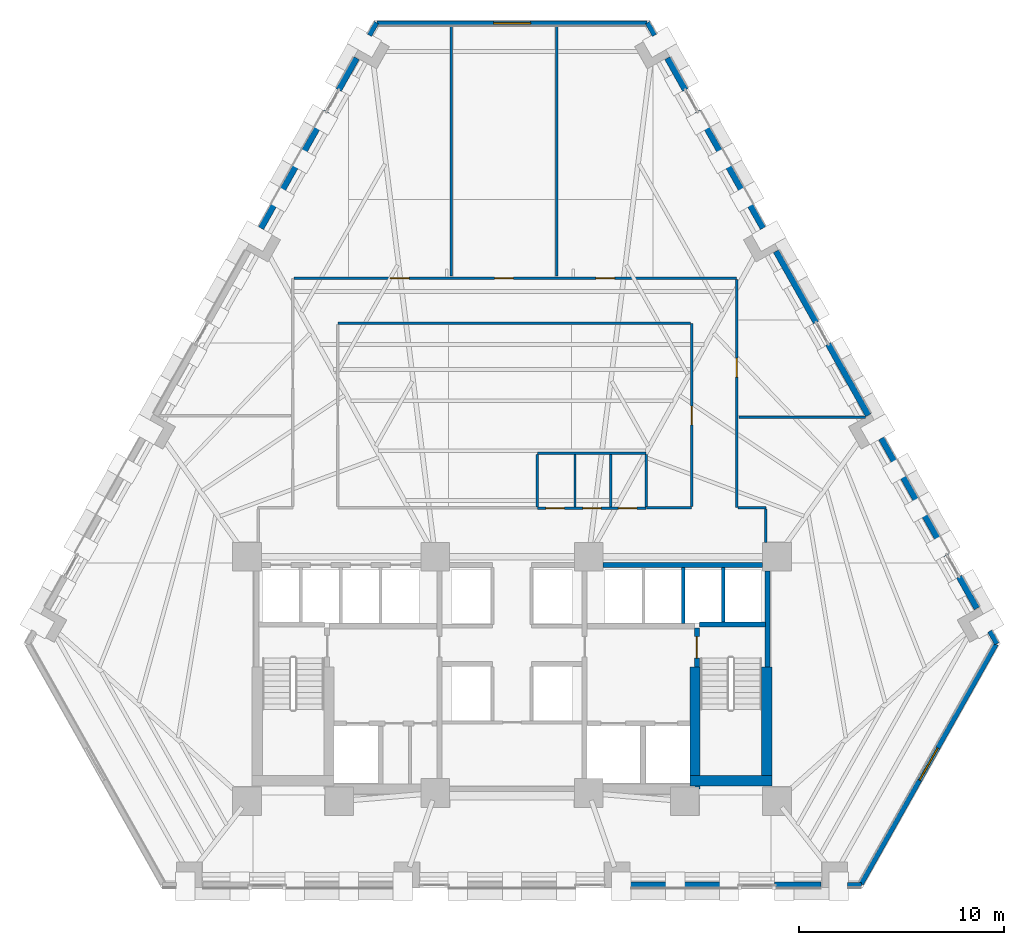
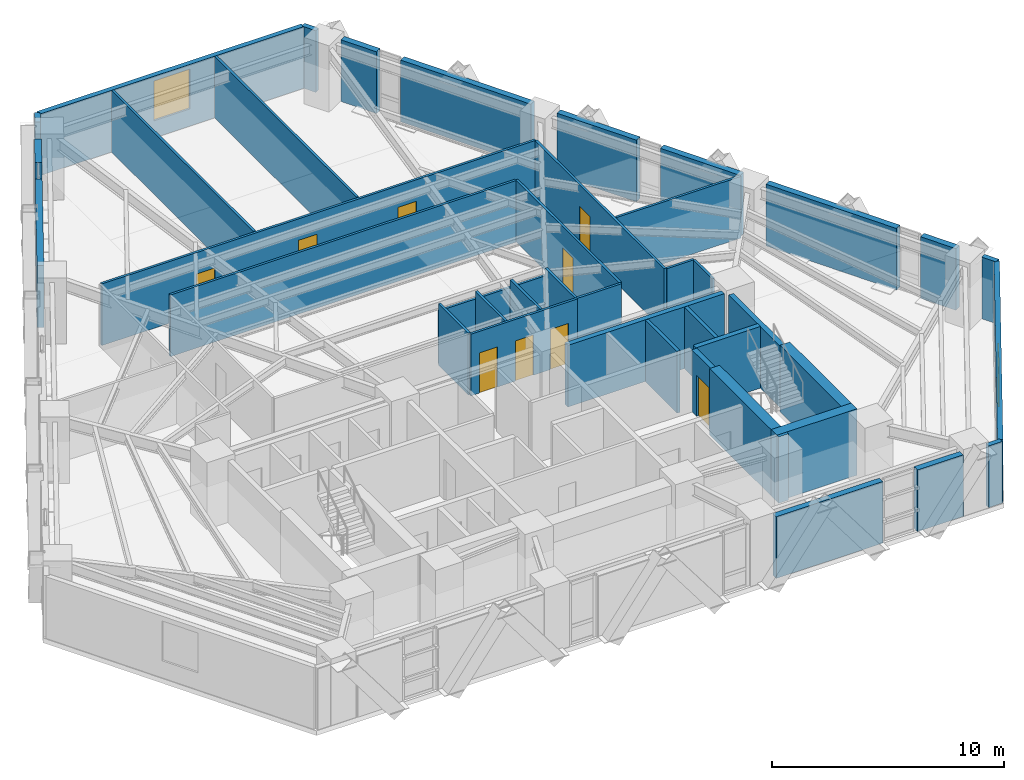
# One storey, part 8 of 13: 41 walls, 9 doors, 2 windows, 11 openings.
"""IFC4 building model written with IfcOpenShell, lengths in metres."""

from ifc_helpers import new_model, si_unit, direction, frame, frame_2d, origin, place, context, subcontext, project, spatial, rectangle, extrude, material, layer, layer_set, type_object, element, fill, save


model = new_model("IFC4")

# Units and contexts
model_context = context("Model", 3, precision=1e-05, world=origin(), true_north=direction((0.0, 1.0)))
body_context = subcontext(model_context, "Body", "Model", "MODEL_VIEW")
ifc_project = project(units=[si_unit("LENGTHUNIT", "METRE"), si_unit("AREAUNIT", "SQUARE_METRE"), si_unit("VOLUMEUNIT", "CUBIC_METRE"), si_unit("PLANEANGLEUNIT", "RADIAN"), si_unit("MASSUNIT", "GRAM", prefix="KILO")], contexts=[model_context])

# Site, building, storey
site_placement = place(None, origin())
site = spatial("IfcSite", under=ifc_project, at=site_placement, CompositionType="ELEMENT")
building_placement = place(site_placement, origin())
building = spatial("IfcBuilding", under=site, at=building_placement, Name="Quenlor Broadcast Tower", CompositionType="ELEMENT")
storey_placement = place(building_placement, frame((0.0, 0.0, 55.60009765625)))
storey = spatial("IfcBuildingStorey", under=building, at=storey_placement, Name="L14", CompositionType="ELEMENT", Elevation=55.60009765625)

# Walls
ifc_material_1 = material(Name="Concrete C65/80", Category="concrete")
ifc_layer_1 = layer(ifc_material_1, 0.5)
ifc_layer_set_1 = layer_set([ifc_layer_1], Name="Core Concrete C65/80 Shear Wall 500")
wall_type_1 = type_object("IfcWallType", Name="Core Concrete C65/80 Shear Wall 500", PredefinedType="SHEAR", material=ifc_layer_set_1)
wall_1_placement = place(storey_placement, frame((8.699951171875, -15.75, 0.0), z_axis=(0.0, 0.0, 1.0), x_axis=(1.0, 0.0, 0.0)))
element("IfcWall", 1, at=wall_1_placement, inside=storey, type_object=wall_type_1, Name="L14 Core Shear Wall WS-E2", PredefinedType="SHEAR", context=body_context, shape_type="SweptSolid", body=[
    extrude(rectangle(XDim=4.0, YDim=0.5, at=frame_2d((2.0, 0.0))), origin(), (0.0, 0.0, 1.0), 3.5),
])
wall_2_placement = place(storey_placement, frame((12.449951171875, -15.75, 0.0), z_axis=(0.0, 0.0, 1.0), x_axis=(0.0, 1.0, 0.0)))
element("IfcWall", 2, at=wall_2_placement, inside=storey, type_object=wall_type_1, Name="L14 Core Shear Wall WF-E", PredefinedType="SHEAR", context=body_context, shape_type="SweptSolid", body=[
    extrude(rectangle(XDim=5.550048828125, YDim=0.5, at=frame_2d((2.77490234375, 0.0))), origin(), (0.0, 0.0, 1.0), 3.5),
])
wall_3_placement = place(storey_placement, frame((8.949951171875, -16.14990234375, 0.0), z_axis=(0.0, 0.0, 1.0), x_axis=(0.0, 1.0, 0.0)))
element("IfcWall", 3, at=wall_3_placement, inside=storey, type_object=wall_type_1, Name="L14 Core Shear Wall WI-E", PredefinedType="SHEAR", context=body_context, shape_type="SweptSolid", body=[
    extrude(rectangle(XDim=5.949951171875, YDim=0.5, at=frame_2d((2.97509765625, 0.0))), origin(), (0.0, 0.0, 1.0), 3.5),
])

# Wall, opening, door
ifc_material_2 = material(Name="Concrete C40/50", Category="concrete")
ifc_layer_2 = layer(ifc_material_2, 0.25)
ifc_layer_set_2 = layer_set([ifc_layer_2], Name="Fire Rated Concrete C40/50 Core Wall 250")
wall_type_2 = type_object("IfcWallType", Name="Fire Rated Concrete C40/50 Core Wall 250", PredefinedType="PARTITIONING", material=ifc_layer_set_2)
wall_4_placement = place(storey_placement, frame((9.0400390625, -10.179931640625, 0.0), z_axis=(0.0, 0.0, 1.0), x_axis=(0.0, 1.0, 0.0)))
wall_4 = element("IfcWall", 4, at=wall_4_placement, inside=storey, type_object=wall_type_2, Name="L14 Interior Wall CW-ST2-DR", PredefinedType="PARTITIONING", context=body_context, shape_type="SweptSolid", body=[
    extrude(rectangle(XDim=1.89990234375, YDim=0.25, at=frame_2d((0.949951171875, 0.0))), origin(), (0.0, 0.0, 1.0), 3.25),
])
opening_1_placement = place(wall_4_placement, frame((0.419921875, 0.0, 0.0)))
opening_1 = element("IfcOpeningElement", 5, at=opening_1_placement, cuts=wall_4, Name="Opening FD-1", PredefinedType="OPENING", context=body_context, shape_type="SweptSolid", body=[
    extrude(rectangle(XDim=1.050048828125, YDim=2.14990234375, at=frame_2d((0.52490234375, 1.074951171875))), frame((0.0, 0.135009765625, 0.0), z_axis=(0.0, -1.0, 0.0), x_axis=(1.0, 0.0, 0.0)), (0.0, 0.0, 1.0), 0.27001953125),
])
ifc_material_3 = material(Name="Fire Rated Steel Door Leaf", Category="steel")
door_type_1 = type_object("IfcDoorType", Name="Fire Isolated Stair Door 1050x2150", OperationType="NOTDEFINED", PredefinedType="DOOR", material=ifc_material_3)
door_1_placement = place(opening_1_placement, origin())
door_1 = element("IfcDoor", 6, at=door_1_placement, inside=storey, type_object=door_type_1, Name="L14 Door DR-ST2", OperationType="SINGLE_SWING_RIGHT", OverallHeight=2.14990234375, OverallWidth=1.050048828125, PredefinedType="DOOR", context=body_context, shape_type="SweptSolid", body=[
    extrude(rectangle(XDim=1.050048828125, YDim=2.14990234375, at=frame_2d((0.52490234375, 1.074951171875))), frame((0.0, 0.02490234375, 0.0), z_axis=(0.0, -1.0, 0.0), x_axis=(1.0, 0.0, 0.0)), (0.0, 0.0, 1.0), 0.050048828125),
])
fill(opening_1, door_1)

# Walls
wall_5_placement = place(storey_placement, frame((9.159912109375, -8.1201171875, 0.0), z_axis=(0.0, 0.0, 1.0), x_axis=(1.0, 0.0, 0.0)))
element("IfcWall", 7, at=wall_5_placement, inside=storey, type_object=wall_type_2, Name="L14 Interior Wall CW-ST2-N", PredefinedType="PARTITIONING", context=body_context, shape_type="SweptSolid", body=[
    extrude(rectangle(XDim=3.219970703125, YDim=0.25, at=frame_2d((1.60986328125, 0.0))), origin(), (0.0, 0.0, 1.0), 3.25),
])
wall_6_placement = place(storey_placement, frame((12.47998046875, -10.179931640625, 0.0), z_axis=(0.0, 0.0, 1.0), x_axis=(0.0, 1.0, 0.0)))
element("IfcWall", 8, at=wall_6_placement, inside=storey, type_object=wall_type_2, Name="L14 Interior Wall CW-ST2-E2", PredefinedType="PARTITIONING", context=body_context, shape_type="SweptSolid", body=[
    extrude(rectangle(XDim=4.677978515625, YDim=0.25, at=frame_2d((2.3388671875, 0.0))), origin(), (0.0, 0.0, 1.0), 3.25),
])
wall_7_placement = place(storey_placement, frame((4.451904296875, -5.199951171875, 0.0), z_axis=(0.0, 0.0, 1.0), x_axis=(1.0, 0.0, 0.0)))
element("IfcWall", 9, at=wall_7_placement, inside=storey, type_object=wall_type_2, Name="L14 Interior Wall CW-N-E", PredefinedType="PARTITIONING", context=body_context, shape_type="SweptSolid", body=[
    extrude(rectangle(XDim=7.796142578125, YDim=0.25, at=frame_2d((3.89794921875, 0.0))), origin(), (0.0, 0.0, 1.0), 3.25),
])
ifc_material_4 = material(Name="Gypsum Fireboard Partition", Category="other")
ifc_layer_3 = layer(ifc_material_4, 0.159912109375)
ifc_layer_set_3 = layer_set([ifc_layer_3], Name="Fire Rated Shaft and Corridor Partition 160")
wall_type_3 = type_object("IfcWallType", Name="Fire Rated Shaft and Corridor Partition 160", PredefinedType="PARTITIONING", material=ifc_layer_set_3)
wall_8_placement = place(storey_placement, frame((8.375, -8.072998046875, 0.0), z_axis=(0.0, 0.0, 1.0), x_axis=(0.0, 1.0, 0.0)))
element("IfcWall", 10, at=wall_8_placement, inside=storey, type_object=wall_type_3, Name="L14 Interior Wall CW-PLH-D2", PredefinedType="PARTITIONING", context=body_context, shape_type="SweptSolid", body=[
    extrude(rectangle(XDim=2.73291015625, YDim=0.159912109375, at=frame_2d((1.366455078125, 0.0))), origin(), (0.0, 0.0, 1.0), 3.25),
])
wall_9_placement = place(storey_placement, frame((10.324951171875, -7.992919921875, 0.0), z_axis=(0.0, 0.0, 1.0), x_axis=(0.0, 1.0, 0.0)))
element("IfcWall", 11, at=wall_9_placement, inside=storey, type_object=wall_type_3, Name="L14 Interior Wall CW-PLH-D3", PredefinedType="PARTITIONING", context=body_context, shape_type="SweptSolid", body=[
    extrude(rectangle(XDim=2.65283203125, YDim=0.159912109375, at=frame_2d((1.326416015625, 0.0))), origin(), (0.0, 0.0, 1.0), 3.25),
])

# Wall, openings, doors
ifc_material_5 = material(Name="Gypsum Plasterboard Partition", Category="other")
ifc_layer_4 = layer(ifc_material_5, 0.1201171875)
ifc_layer_set_4 = layer_set([ifc_layer_4], Name="Standard Office Partition 120")
wall_type_4 = type_object("IfcWallType", Name="Standard Office Partition 120", PredefinedType="PARTITIONING", material=ifc_layer_set_4)
wall_10_placement = place(storey_placement, frame((1.239990234375, -2.43994140625, 0.0), z_axis=(0.0, 0.0, 1.0), x_axis=(1.0, 0.0, 0.0)))
wall_10 = element("IfcWall", 12, at=wall_10_placement, inside=storey, type_object=wall_type_4, Name="L14 Interior Wall PW-WC-S", PredefinedType="PARTITIONING", context=body_context, shape_type="SweptSolid", body=[
    extrude(rectangle(XDim=5.320068359375, YDim=0.1201171875, at=frame_2d((2.66015625, 0.0))), origin(), (0.0, 0.0, 1.0), 3.25),
])
opening_2_placement = place(wall_10_placement, frame((0.419921875, 0.0, 0.0)))
opening_2 = element("IfcOpeningElement", 13, at=opening_2_placement, cuts=wall_10, Name="Opening ID-3", PredefinedType="OPENING", context=body_context, shape_type="SweptSolid", body=[
    extrude(rectangle(XDim=0.89990234375, YDim=2.1201171875, at=frame_2d((0.449951171875, 1.06005859375))), frame((0.0, 0.070068359375, 0.0), z_axis=(0.0, -1.0, 0.0), x_axis=(1.0, 0.0, 0.0)), (0.0, 0.0, 1.0), 0.14013671875),
])
opening_3_placement = place(wall_10_placement, frame((2.219970703125, 0.0, 0.0)))
opening_3 = element("IfcOpeningElement", 14, at=opening_3_placement, cuts=wall_10, Name="Opening ID-3", PredefinedType="OPENING", context=body_context, shape_type="SweptSolid", body=[
    extrude(rectangle(XDim=0.89990234375, YDim=2.1201171875, at=frame_2d((0.449951171875, 1.06005859375))), frame((0.0, 0.070068359375, 0.0), z_axis=(0.0, -1.0, 0.0), x_axis=(1.0, 0.0, 0.0)), (0.0, 0.0, 1.0), 0.14013671875),
])
opening_4_placement = place(wall_10_placement, frame((3.9599609375, 0.0, 0.0)))
opening_4 = element("IfcOpeningElement", 15, at=opening_4_placement, cuts=wall_10, Name="Opening ID-3", PredefinedType="OPENING", context=body_context, shape_type="SweptSolid", body=[
    extrude(rectangle(XDim=0.89990234375, YDim=2.1201171875, at=frame_2d((0.449951171875, 1.06005859375))), frame((0.0, 0.070068359375, 0.0), z_axis=(0.0, -1.0, 0.0), x_axis=(1.0, 0.0, 0.0)), (0.0, 0.0, 1.0), 0.14013671875),
])
ifc_material_6 = material(Name="Moisture Resistant Timber Oak", Category="wood")
door_type_2 = type_object("IfcDoorType", Name="Washroom Privacy Door 900x2120", OperationType="NOTDEFINED", PredefinedType="DOOR", material=ifc_material_6)
door_2_placement = place(opening_2_placement, origin())
door_2 = element("IfcDoor", 16, at=door_2_placement, inside=storey, type_object=door_type_2, Name="L14 Door DR-AWC", OperationType="SINGLE_SWING_LEFT", OverallHeight=2.1201171875, OverallWidth=0.89990234375, PredefinedType="DOOR", context=body_context, shape_type="SweptSolid", body=[
    extrude(rectangle(XDim=0.89990234375, YDim=2.1201171875, at=frame_2d((0.449951171875, 1.06005859375))), frame((0.0, 0.02490234375, 0.0), z_axis=(0.0, -1.0, 0.0), x_axis=(1.0, 0.0, 0.0)), (0.0, 0.0, 1.0), 0.050048828125),
])
fill(opening_2, door_2)
door_3_placement = place(opening_3_placement, origin())
door_3 = element("IfcDoor", 17, at=door_3_placement, inside=storey, type_object=door_type_2, Name="L14 Door DR-MWC", OperationType="SINGLE_SWING_LEFT", OverallHeight=2.1201171875, OverallWidth=0.89990234375, PredefinedType="DOOR", context=body_context, shape_type="SweptSolid", body=[
    extrude(rectangle(XDim=0.89990234375, YDim=2.1201171875, at=frame_2d((0.449951171875, 1.06005859375))), frame((0.0, 0.02490234375, 0.0), z_axis=(0.0, -1.0, 0.0), x_axis=(1.0, 0.0, 0.0)), (0.0, 0.0, 1.0), 0.050048828125),
])
fill(opening_3, door_3)
door_4_placement = place(opening_4_placement, origin())
door_4 = element("IfcDoor", 18, at=door_4_placement, inside=storey, type_object=door_type_2, Name="L14 Door DR-FWC", OperationType="SINGLE_SWING_RIGHT", OverallHeight=2.1201171875, OverallWidth=0.89990234375, PredefinedType="DOOR", context=body_context, shape_type="SweptSolid", body=[
    extrude(rectangle(XDim=0.89990234375, YDim=2.1201171875, at=frame_2d((0.449951171875, 1.06005859375))), frame((0.0, 0.02490234375, 0.0), z_axis=(0.0, -1.0, 0.0), x_axis=(1.0, 0.0, 0.0)), (0.0, 0.0, 1.0), 0.050048828125),
])
fill(opening_4, door_4)

# Walls
wall_11_placement = place(storey_placement, frame((1.239990234375, 0.260009765625, 0.0), z_axis=(0.0, 0.0, 1.0), x_axis=(1.0, 0.0, 0.0)))
element("IfcWall", 19, at=wall_11_placement, inside=storey, type_object=wall_type_4, Name="L14 Interior Wall PW-WC-N", PredefinedType="PARTITIONING", context=body_context, shape_type="SweptSolid", body=[
    extrude(rectangle(XDim=5.320068359375, YDim=0.1201171875, at=frame_2d((2.66015625, 0.0))), origin(), (0.0, 0.0, 1.0), 2.843505859375),
])
for number, where, z_axis, x_axis, name in (
    (20, (1.239990234375, -2.3779296875, 0.0), (0.0, 0.0, 1.0), (0.0, 1.0, 0.0), "L14 Interior Wall PW-WC-W"),
    (21, (3.080078125, -2.3779296875, 0.0), (0.0, 0.0, 1.0), (0.0, 1.0, 0.0), "L14 Interior Wall PW-WC-M1"),
    (22, (4.820068359375, -2.3779296875, 0.0), (0.0, 0.0, 1.0), (0.0, 1.0, 0.0), "L14 Interior Wall PW-WC-M2"),
    (23, (6.56005859375, -2.3779296875, 0.0), (0.0, 0.0, 1.0), (0.0, 1.0, 0.0), "L14 Interior Wall PW-WC-E"),
):
    element("IfcWall", number, at=place(storey_placement, frame(where, z_axis=z_axis, x_axis=x_axis)), inside=storey, type_object=wall_type_4, Name=name, PredefinedType="PARTITIONING", context=body_context, shape_type="SweptSolid", body=[
        extrude(rectangle(XDim=2.575927734375, YDim=0.1201171875, at=frame_2d((1.2880859375, 0.0))), origin(), (0.0, 0.0, 1.0), 3.25),
    ])

# Wall, openings, doors
wall_12_placement = place(storey_placement, frame((-10.653076171875, 8.800048828125, 0.0), z_axis=(0.0, 0.0, 1.0), x_axis=(1.0, 0.0, 0.0)))
wall_12 = element("IfcWall", 24, at=wall_12_placement, inside=storey, type_object=wall_type_4, Name="L14 Interior Wall PW-CR-03", PredefinedType="PARTITIONING", context=body_context, shape_type="SweptSolid", body=[
    extrude(rectangle(XDim=21.63818359375, YDim=0.1201171875, at=frame_2d((10.819091796875, 0.0))), origin(), (0.0, 0.0, 1.0), 3.25),
])
opening_5_placement = place(wall_12_placement, frame((9.802978515625, 0.0, 0.0)))
opening_5 = element("IfcOpeningElement", 25, at=opening_5_placement, cuts=wall_12, Name="Opening ID-1", PredefinedType="OPENING", context=body_context, shape_type="SweptSolid", body=[
    extrude(rectangle(XDim=0.919921875, YDim=2.1201171875, at=frame_2d((0.4599609375, 1.06005859375))), frame((0.0, 0.070068359375, 0.0), z_axis=(0.0, -1.0, 0.0), x_axis=(1.0, 0.0, 0.0)), (0.0, 0.0, 1.0), 0.14013671875),
])
opening_6_placement = place(wall_12_placement, frame((14.7529296875, 0.0, 0.0)))
opening_6 = element("IfcOpeningElement", 26, at=opening_6_placement, cuts=wall_12, Name="Opening ID-1", PredefinedType="OPENING", context=body_context, shape_type="SweptSolid", body=[
    extrude(rectangle(XDim=0.919921875, YDim=2.1201171875, at=frame_2d((0.4599609375, 1.06005859375))), frame((0.0, 0.070068359375, 0.0), z_axis=(0.0, -1.0, 0.0), x_axis=(1.0, 0.0, 0.0)), (0.0, 0.0, 1.0), 0.14013671875),
])
opening_7_placement = place(wall_12_placement, frame((4.702880859375, 0.0, 0.0)))
opening_7 = element("IfcOpeningElement", 27, at=opening_7_placement, cuts=wall_12, Name="Opening ID-1", PredefinedType="OPENING", context=body_context, shape_type="SweptSolid", body=[
    extrude(rectangle(XDim=0.919921875, YDim=2.1201171875, at=frame_2d((0.4599609375, 1.06005859375))), frame((0.0, 0.070068359375, 0.0), z_axis=(0.0, -1.0, 0.0), x_axis=(1.0, 0.0, 0.0)), (0.0, 0.0, 1.0), 0.14013671875),
])
ifc_material_7 = material(Name="Solid Core Timber Oak", Category="wood")
door_type_3 = type_object("IfcDoorType", Name="Single Leaf Timber Office Door 920x2120", OperationType="NOTDEFINED", PredefinedType="DOOR", material=ifc_material_7)
door_5_placement = place(opening_5_placement, origin())
door_5 = element("IfcDoor", 28, at=door_5_placement, inside=storey, type_object=door_type_3, Name="L14 Door DR-RM01", OperationType="SINGLE_SWING_LEFT", OverallHeight=2.1201171875, OverallWidth=0.919921875, PredefinedType="DOOR", context=body_context, shape_type="SweptSolid", body=[
    extrude(rectangle(XDim=0.919921875, YDim=2.1201171875, at=frame_2d((0.4599609375, 1.06005859375))), frame((0.0, 0.02490234375, 0.0), z_axis=(0.0, -1.0, 0.0), x_axis=(1.0, 0.0, 0.0)), (0.0, 0.0, 1.0), 0.050048828125),
])
fill(opening_5, door_5)
door_6_placement = place(opening_6_placement, origin())
door_6 = element("IfcDoor", 29, at=door_6_placement, inside=storey, type_object=door_type_3, Name="L14 Door DR-RM02", OperationType="SINGLE_SWING_RIGHT", OverallHeight=2.1201171875, OverallWidth=0.919921875, PredefinedType="DOOR", context=body_context, shape_type="SweptSolid", body=[
    extrude(rectangle(XDim=0.919921875, YDim=2.1201171875, at=frame_2d((0.4599609375, 1.06005859375))), frame((0.0, 0.02490234375, 0.0), z_axis=(0.0, -1.0, 0.0), x_axis=(1.0, 0.0, 0.0)), (0.0, 0.0, 1.0), 0.050048828125),
])
fill(opening_6, door_6)
door_7_placement = place(opening_7_placement, origin())
door_7 = element("IfcDoor", 30, at=door_7_placement, inside=storey, type_object=door_type_3, Name="L14 Door DR-RM03", OperationType="SINGLE_SWING_LEFT", OverallHeight=2.1201171875, OverallWidth=0.919921875, PredefinedType="DOOR", context=body_context, shape_type="SweptSolid", body=[
    extrude(rectangle(XDim=0.919921875, YDim=2.1201171875, at=frame_2d((0.4599609375, 1.06005859375))), frame((0.0, 0.02490234375, 0.0), z_axis=(0.0, -1.0, 0.0), x_axis=(1.0, 0.0, 0.0)), (0.0, 0.0, 1.0), 0.050048828125),
])
fill(opening_7, door_7)

# Wall, opening, door
wall_13_placement = place(storey_placement, frame((10.985107421875, 8.738037109375, 0.0), z_axis=(0.0, 0.0, 1.0), x_axis=(0.0, -1.0, 0.0)))
wall_13 = element("IfcWall", 31, at=wall_13_placement, inside=storey, type_object=wall_type_4, Name="L14 Interior Wall PW-CR-04", PredefinedType="PARTITIONING", context=body_context, shape_type="SweptSolid", body=[
    extrude(rectangle(XDim=11.137939453125, YDim=0.1201171875, at=frame_2d((5.56884765625, 0.0))), origin(), (0.0, 0.0, 1.0), 3.25),
])
opening_8_placement = place(wall_13_placement, frame((3.837890625, 0.0, 0.0)))
opening_8 = element("IfcOpeningElement", 32, at=opening_8_placement, cuts=wall_13, Name="Opening ID-1", PredefinedType="OPENING", context=body_context, shape_type="SweptSolid", body=[
    extrude(rectangle(XDim=0.919921875, YDim=2.1201171875, at=frame_2d((0.4599609375, 1.06005859375))), frame((0.0, 0.070068359375, 0.0), z_axis=(0.0, -1.0, 0.0), x_axis=(1.0, 0.0, 0.0)), (0.0, 0.0, 1.0), 0.14013671875),
])
door_8_placement = place(opening_8_placement, origin())
door_8 = element("IfcDoor", 33, at=door_8_placement, inside=storey, type_object=door_type_3, Name="L14 Door DR-RM04", OperationType="SINGLE_SWING_RIGHT", OverallHeight=2.1201171875, OverallWidth=0.919921875, PredefinedType="DOOR", context=body_context, shape_type="SweptSolid", body=[
    extrude(rectangle(XDim=0.919921875, YDim=2.1201171875, at=frame_2d((0.4599609375, 1.06005859375))), frame((0.0, 0.02490234375, 0.0), z_axis=(0.0, -1.0, 0.0), x_axis=(1.0, 0.0, 0.0)), (0.0, 0.0, 1.0), 0.050048828125),
])
fill(opening_8, door_8)

# Walls
wall_14_placement = place(storey_placement, frame((11.047119140625, -2.39990234375, 0.0), z_axis=(0.0, 0.0, 1.0), x_axis=(1.0, 0.0, 0.0)))
element("IfcWall", 34, at=wall_14_placement, inside=storey, type_object=wall_type_4, Name="L14 Interior Wall PW-CR-05", PredefinedType="PARTITIONING", context=body_context, shape_type="SweptSolid", body=[
    extrude(rectangle(XDim=1.36279296875, YDim=0.1201171875, at=frame_2d((0.681396484375, 0.0))), origin(), (0.0, 0.0, 1.0), 3.25),
])
wall_15_placement = place(storey_placement, frame((12.409912109375, -2.4619140625, 0.0), z_axis=(0.0, 0.0, 1.0), x_axis=(0.0, -1.0, 0.0)))
element("IfcWall", 35, at=wall_15_placement, inside=storey, type_object=wall_type_4, Name="L14 Interior Wall PW-CR-06", PredefinedType="PARTITIONING", context=body_context, shape_type="SweptSolid", body=[
    extrude(rectangle(XDim=1.635986328125, YDim=0.1201171875, at=frame_2d((0.81787109375, 0.0))), origin(), (0.0, 0.0, 1.0), 3.25),
])
wall_16_placement = place(storey_placement, frame((6.56201171875, -2.39990234375, 0.0), z_axis=(0.0, 0.0, 1.0), x_axis=(1.0, 0.0, 0.0)))
element("IfcWall", 36, at=wall_16_placement, inside=storey, type_object=wall_type_4, Name="L14 Interior Wall PW-CR-08S2", PredefinedType="PARTITIONING", context=body_context, shape_type="SweptSolid", body=[
    extrude(rectangle(XDim=2.222900390625, YDim=0.1201171875, at=frame_2d((1.111328125, 0.0))), origin(), (0.0, 0.0, 1.0), 3.25),
])

# Wall, opening, door
wall_17_placement = place(storey_placement, frame((8.784912109375, -2.337890625, 0.0), z_axis=(0.0, 0.0, 1.0), x_axis=(0.0, 1.0, 0.0)))
wall_17 = element("IfcWall", 37, at=wall_17_placement, inside=storey, type_object=wall_type_4, Name="L14 Interior Wall PW-CR-09", PredefinedType="PARTITIONING", context=body_context, shape_type="SweptSolid", body=[
    extrude(rectangle(XDim=8.93798828125, YDim=0.1201171875, at=frame_2d((4.468994140625, 0.0))), origin(), (0.0, 0.0, 1.0), 3.25),
])
opening_9_placement = place(wall_17_placement, frame((3.97802734375, 0.0, 0.0)))
opening_9 = element("IfcOpeningElement", 38, at=opening_9_placement, cuts=wall_17, Name="Opening ID-1", PredefinedType="OPENING", context=body_context, shape_type="SweptSolid", body=[
    extrude(rectangle(XDim=0.919921875, YDim=2.1201171875, at=frame_2d((0.4599609375, 1.06005859375))), frame((0.0, 0.070068359375, 0.0), z_axis=(0.0, -1.0, 0.0), x_axis=(1.0, 0.0, 0.0)), (0.0, 0.0, 1.0), 0.14013671875),
])
door_9_placement = place(opening_9_placement, origin())
door_9 = element("IfcDoor", 39, at=door_9_placement, inside=storey, type_object=door_type_3, Name="L14 Door DR-RM06", OperationType="SINGLE_SWING_RIGHT", OverallHeight=2.1201171875, OverallWidth=0.919921875, PredefinedType="DOOR", context=body_context, shape_type="SweptSolid", body=[
    extrude(rectangle(XDim=0.919921875, YDim=2.1201171875, at=frame_2d((0.4599609375, 1.06005859375))), frame((0.0, 0.02490234375, 0.0), z_axis=(0.0, -1.0, 0.0), x_axis=(1.0, 0.0, 0.0)), (0.0, 0.0, 1.0), 0.050048828125),
])
fill(opening_9, door_9)

# Walls
wall_18_placement = place(storey_placement, frame((8.722900390625, 6.60009765625, 0.0), z_axis=(0.0, 0.0, 1.0), x_axis=(-1.0, 0.0, 0.0)))
element("IfcWall", 40, at=wall_18_placement, inside=storey, type_object=wall_type_4, Name="L14 Interior Wall PW-CR-10", PredefinedType="PARTITIONING", context=body_context, shape_type="SweptSolid", body=[
    extrude(rectangle(XDim=17.23779296875, YDim=0.1201171875, at=frame_2d((8.618896484375, 0.0))), origin(), (0.0, 0.0, 1.0), 3.25),
])
for number, where, z_axis, x_axis, name in (
    (41, (2.179931640625, 21.14990234375, 0.0), (0.0, 0.0, 1.0), (0.0, -1.0, 0.0), "L14 Interior Wall PW-DV-01"),
    (42, (-2.9599609375, 8.909912109375, 0.0), (0.0, 0.0, 1.0), (0.0, 1.0, 0.0), "L14 Interior Wall PW-DV-02"),
):
    element("IfcWall", number, at=place(storey_placement, frame(where, z_axis=z_axis, x_axis=x_axis)), inside=storey, type_object=wall_type_4, Name=name, PredefinedType="PARTITIONING", context=body_context, shape_type="SweptSolid", body=[
        extrude(rectangle(XDim=12.239990234375, YDim=0.1201171875, at=frame_2d((6.1201171875, 0.0))), origin(), (0.0, 0.0, 1.0), 3.25),
    ])
wall_19_placement = place(storey_placement, frame((17.2841796875, 2.02001953125, 0.0), z_axis=(0.0, 0.0, 1.0), x_axis=(-1.0, 0.0, 0.0)))
element("IfcWall", 43, at=wall_19_placement, inside=storey, type_object=wall_type_4, Name="L14 Interior Wall PW-DV-03", PredefinedType="PARTITIONING", context=body_context, shape_type="SweptSolid", body=[
    extrude(rectangle(XDim=6.189208984375, YDim=0.1201171875, at=frame_2d((3.0947265625, 0.0))), origin(), (0.0, 0.0, 1.0), 3.25),
])
ifc_material_8 = material(Name="Precast concrete C40/50", Category="concrete")
ifc_layer_5 = layer(ifc_material_8, 0.239990234375)
ifc_layer_set_5 = layer_set([ifc_layer_5], Name="Terrace Threshold Precast Concrete C40/50 Wall 240")
wall_type_5 = type_object("IfcWallType", Name="Terrace Threshold Precast Concrete C40/50 Wall 240", PredefinedType="STANDARD", material=ifc_layer_set_5)
wall_20_placement = place(storey_placement, frame((17.075927734375, -20.840087890625, 0.0), z_axis=(0.0, 0.0, 1.0), x_axis=(-1.0, 0.0, 0.0)))
element("IfcWall", 44, at=wall_20_placement, inside=storey, type_object=wall_type_5, Name="L14 Exterior Wall L14-SHD-SS0", PredefinedType="STANDARD", context=body_context, shape_type="SweptSolid", body=[
    extrude(rectangle(XDim=0.680908203125, YDim=0.239990234375, at=frame_2d((0.34033203125, 0.0))), origin(), (0.0, 0.0, 1.0), 3.25),
])
wall_21_placement = place(storey_placement, frame((6.621826171875, 21.30126953125, 0.0), z_axis=(0.0, 0.0, 1.0), x_axis=(0.490261239633, -0.871575537125, 0.0)))
element("IfcWall", 45, at=wall_21_placement, inside=storey, type_object=wall_type_5, Name="L14 Exterior Wall L14-SHD-NES0", PredefinedType="STANDARD", context=body_context, shape_type="SweptSolid", body=[
    extrude(rectangle(XDim=0.7080078125, YDim=0.239990234375, at=frame_2d((0.35400390625, 0.0))), origin(), (0.0, 0.0, 1.0), 3.25),
])
wall_22_placement = place(storey_placement, frame((23.351806640625, -8.44091796875, 0.0), z_axis=(0.0, 0.0, 1.0), x_axis=(0.490523074758, -0.871428203084, 0.0)))
element("IfcWall", 46, at=wall_22_placement, inside=storey, type_object=wall_type_5, Name="L14 Exterior Wall L14-SHD-NES1", PredefinedType="STANDARD", context=body_context, shape_type="SweptSolid", body=[
    extrude(rectangle(XDim=0.708251953125, YDim=0.239990234375, at=frame_2d((0.35400390625, 0.0))), origin(), (0.0, 0.0, 1.0), 3.25),
])
wall_23_placement = place(storey_placement, frame((-6.968994140625, 20.68408203125, 0.0), z_axis=(0.0, 0.0, 1.0), x_axis=(0.490261239633, 0.871575537125, 0.0)))
element("IfcWall", 47, at=wall_23_placement, inside=storey, type_object=wall_type_5, Name="L14 Exterior Wall L14-SHD-NWS1", PredefinedType="STANDARD", context=body_context, shape_type="SweptSolid", body=[
    extrude(rectangle(XDim=0.7080078125, YDim=0.239990234375, at=frame_2d((0.35400390625, 0.0))), origin(), (0.0, 0.0, 1.0), 3.25),
])

# Wall, opening, window
wall_24_placement = place(storey_placement, frame((6.598388671875, 21.27197265625, 0.0), z_axis=(0.0, 0.0, 1.0), x_axis=(-1.0, 0.0, 0.0)))
wall_24 = element("IfcWall", 48, at=wall_24_placement, inside=storey, type_object=wall_type_5, Name="L14 Exterior Wall L14-CNR-02", PredefinedType="STANDARD", context=body_context, shape_type="SweptSolid", body=[
    extrude(rectangle(XDim=13.186767578125, YDim=0.239990234375, at=frame_2d((6.59326171875, 0.0))), origin(), (0.0, 0.0, 1.0), 3.25),
])
opening_10_placement = place(wall_24_placement, frame((5.693115234375, 0.0, 0.89990234375)))
opening_10 = element("IfcOpeningElement", 49, at=opening_10_placement, cuts=wall_24, Name="Opening WN-1", PredefinedType="OPENING", context=body_context, shape_type="SweptSolid", body=[
    extrude(rectangle(XDim=1.800048828125, YDim=2.10009765625, at=frame_2d((0.89990234375, 1.050048828125))), frame((0.0, 0.1298828125, 0.0), z_axis=(0.0, -1.0, 0.0), x_axis=(1.0, 0.0, 0.0)), (0.0, 0.0, 1.0), 0.260009765625),
])
ifc_material_9 = material(Name="Thermally Broken Aluminium and Low-E Glass", Category="aluminium")
window_type = type_object("IfcWindowType", Name="Tower Acoustic Vision Window 1800x2100", PartitioningType="SINGLE_PANEL", PredefinedType="WINDOW", material=ifc_material_9)
window_1_placement = place(opening_10_placement, origin())
window_1 = element("IfcWindow", 50, at=window_1_placement, inside=storey, type_object=window_type, Name="L14 Corner Chamfer Window 2", OverallHeight=2.10009765625, OverallWidth=1.800048828125, PartitioningType="SINGLE_PANEL", PredefinedType="WINDOW", context=body_context, shape_type="SweptSolid", body=[
    extrude(rectangle(XDim=1.800048828125, YDim=2.10009765625, at=frame_2d((0.89990234375, 1.050048828125))), frame((0.0, 0.030029296875, 0.0), z_axis=(0.0, -1.0, 0.0), x_axis=(1.0, 0.0, 0.0)), (0.0, 0.0, 1.0), 0.06005859375),
])
fill(opening_10, window_1)

wall_25_placement = place(storey_placement, frame((17.06689453125, -20.79638671875, 0.0), z_axis=(0.0, 0.0, 1.0), x_axis=(0.490268135177, 0.871571658345, 0.0)))
wall_25 = element("IfcWall", 51, at=wall_25_placement, inside=storey, type_object=wall_type_5, Name="L14 Exterior Wall L14-CNR-06", PredefinedType="STANDARD", context=body_context, shape_type="SweptSolid", body=[
    extrude(rectangle(XDim=13.44775390625, YDim=0.239990234375, at=frame_2d((6.723876953125, 0.0))), origin(), (0.0, 0.0, 1.0), 3.25),
])
opening_11_placement = place(wall_25_placement, frame((5.823974609375, 0.0, 0.89990234375)))
opening_11 = element("IfcOpeningElement", 52, at=opening_11_placement, cuts=wall_25, Name="Opening WN-1", PredefinedType="OPENING", context=body_context, shape_type="SweptSolid", body=[
    extrude(rectangle(XDim=1.800048828125, YDim=2.10009765625, at=frame_2d((0.89990234375, 1.050048828125))), frame((0.0, 0.1298828125, 0.0), z_axis=(0.0, -1.0, 0.0), x_axis=(1.0, 0.0, 0.0)), (0.0, 0.0, 1.0), 0.260009765625),
])
window_2_placement = place(opening_11_placement, origin())
window_2 = element("IfcWindow", 53, at=window_2_placement, inside=storey, type_object=window_type, Name="L14 Corner Chamfer Window 6", OverallHeight=2.10009765625, OverallWidth=1.800048828125, PartitioningType="SINGLE_PANEL", PredefinedType="WINDOW", context=body_context, shape_type="SweptSolid", body=[
    extrude(rectangle(XDim=1.800048828125, YDim=2.10009765625, at=frame_2d((0.89990234375, 1.050048828125))), frame((0.0, 0.030029296875, 0.0), z_axis=(0.0, -1.0, 0.0), x_axis=(1.0, 0.0, 0.0)), (0.0, 0.0, 1.0), 0.06005859375),
])
fill(opening_11, window_2)

# Walls
ifc_material_10 = material(Name="Precast concrete C40/50", Category="concrete")
ifc_layer_6 = layer(ifc_material_10, 0.300048828125)
ifc_layer_set_6 = layer_set([ifc_layer_6], Name="Terracotta Precast Concrete C40/50 Spandrel Wall 300")
wall_type_6 = type_object("IfcWallType", Name="Terracotta Precast Concrete C40/50 Spandrel Wall 300", PredefinedType="STANDARD", material=ifc_layer_set_6)
wall_26_placement = place(storey_placement, frame((15.114990234375, -20.840087890625, 0.0), z_axis=(0.0, 0.0, 1.0), x_axis=(-1.0, 0.0, 0.0)))
element("IfcWall", 54, at=wall_26_placement, inside=storey, type_object=wall_type_6, Name="L14 Exterior Wall L14-SA-SP1", PredefinedType="STANDARD", context=body_context, shape_type="SweptSolid", body=[
    extrude(rectangle(XDim=2.280029296875, YDim=0.300048828125, at=frame_2d((1.14013671875, 0.0))), origin(), (0.0, 0.0, 1.0), 3.25),
])
wall_27_placement = place(storey_placement, frame((11.106689453125, -20.840087890625, 0.0), z_axis=(0.0, 0.0, 1.0), x_axis=(-1.0, 0.0, 0.0)))
element("IfcWall", 55, at=wall_27_placement, inside=storey, type_object=wall_type_6, Name="L14 Exterior Wall L14-SA-SP2", PredefinedType="STANDARD", context=body_context, shape_type="SweptSolid", body=[
    extrude(rectangle(XDim=5.31591796875, YDim=0.300048828125, at=frame_2d((2.657958984375, 0.0))), origin(), (0.0, 0.0, 1.0), 3.25),
])
wall_28_placement = place(storey_placement, frame((7.5966796875, 19.568603515625, 0.0), z_axis=(0.0, 0.0, 1.0), x_axis=(0.490215743191, -0.87160112731, 0.0)))
element("IfcWall", 56, at=wall_28_placement, inside=storey, type_object=wall_type_6, Name="L14 Exterior Wall L14-NEA-SP1", PredefinedType="STANDARD", context=body_context, shape_type="SweptSolid", body=[
    extrude(rectangle(XDim=1.783447265625, YDim=0.300048828125, at=frame_2d((0.8916015625, 0.0))), origin(), (0.0, 0.0, 1.0), 3.25),
])
wall_29_placement = place(storey_placement, frame((9.06298828125, 16.961669921875, 0.0), z_axis=(0.0, 0.0, 1.0), x_axis=(0.490270095534, -0.871570555621, 0.0)))
element("IfcWall", 57, at=wall_29_placement, inside=storey, type_object=wall_type_6, Name="L14 Exterior Wall L14-NEA-SP2", PredefinedType="STANDARD", context=body_context, shape_type="SweptSolid", body=[
    extrude(rectangle(XDim=6.54443359375, YDim=0.300048828125, at=frame_2d((3.272216796875, 0.0))), origin(), (0.0, 0.0, 1.0), 3.25),
])
wall_30_placement = place(storey_placement, frame((18.049560546875, 0.985595703125, 0.0), z_axis=(0.0, 0.0, 1.0), x_axis=(0.490254155105, -0.871579522133, 0.0)))
element("IfcWall", 58, at=wall_30_placement, inside=storey, type_object=wall_type_6, Name="L14 Exterior Wall L14-NEC-SP1", PredefinedType="STANDARD", context=body_context, shape_type="SweptSolid", body=[
    extrude(rectangle(XDim=6.544677734375, YDim=0.300048828125, at=frame_2d((3.2724609375, 0.0))), origin(), (0.0, 0.0, 1.0), 3.25),
])
wall_31_placement = place(storey_placement, frame((21.85009765625, -5.77099609375, 0.0), z_axis=(0.0, 0.0, 1.0), x_axis=(0.490274239922, -0.871568224334, 0.0)))
element("IfcWall", 59, at=wall_31_placement, inside=storey, type_object=wall_type_6, Name="L14 Exterior Wall L14-NEC-SP2", PredefinedType="STANDARD", context=body_context, shape_type="SweptSolid", body=[
    extrude(rectangle(XDim=1.783203125, YDim=0.300048828125, at=frame_2d((0.8916015625, 0.0))), origin(), (0.0, 0.0, 1.0), 3.25),
])
for number, where, z_axis, x_axis, name in (
    (60, (12.90625, 10.12890625, 0.0), (0.0, 0.0, 1.0), (0.490275749717, -0.871567375043, 0.0), "L14 Exterior Wall L14-NE-SP1"),
    (61, (15.45654296875, 5.595458984375, 0.0), (0.0, 0.0, 1.0), (0.490275749717, -0.871567375043, 0.0), "L14 Exterior Wall L14-NE-SP2"),
):
    element("IfcWall", number, at=place(storey_placement, frame(where, z_axis=z_axis, x_axis=x_axis)), inside=storey, type_object=wall_type_6, Name=name, PredefinedType="STANDARD", context=body_context, shape_type="SweptSolid", body=[
        extrude(rectangle(XDim=3.994140625, YDim=0.300048828125, at=frame_2d((1.9970703125, 0.0))), origin(), (0.0, 0.0, 1.0), 3.25),
    ])
wall_32_placement = place(storey_placement, frame((-12.271484375, 11.2578125, 0.0), z_axis=(0.0, 0.0, 1.0), x_axis=(0.490270095534, 0.871570555621, 0.0)))
element("IfcWall", 62, at=wall_32_placement, inside=storey, type_object=wall_type_6, Name="L14 Exterior Wall L14-NWC-SP1", PredefinedType="STANDARD", context=body_context, shape_type="SweptSolid", body=[
    extrude(rectangle(XDim=6.54443359375, YDim=0.300048828125, at=frame_2d((3.272216796875, 0.0))), origin(), (0.0, 0.0, 1.0), 3.25),
])
wall_33_placement = place(storey_placement, frame((-8.470947265625, 18.01416015625, 0.0), z_axis=(0.0, 0.0, 1.0), x_axis=(0.490215743191, 0.87160112731, 0.0)))
element("IfcWall", 63, at=wall_33_placement, inside=storey, type_object=wall_type_6, Name="L14 Exterior Wall L14-NWC-SP2", PredefinedType="STANDARD", context=body_context, shape_type="SweptSolid", body=[
    extrude(rectangle(XDim=1.783447265625, YDim=0.300048828125, at=frame_2d((0.8916015625, 0.0))), origin(), (0.0, 0.0, 1.0), 3.25),
])

save(model, "model.ifc")
